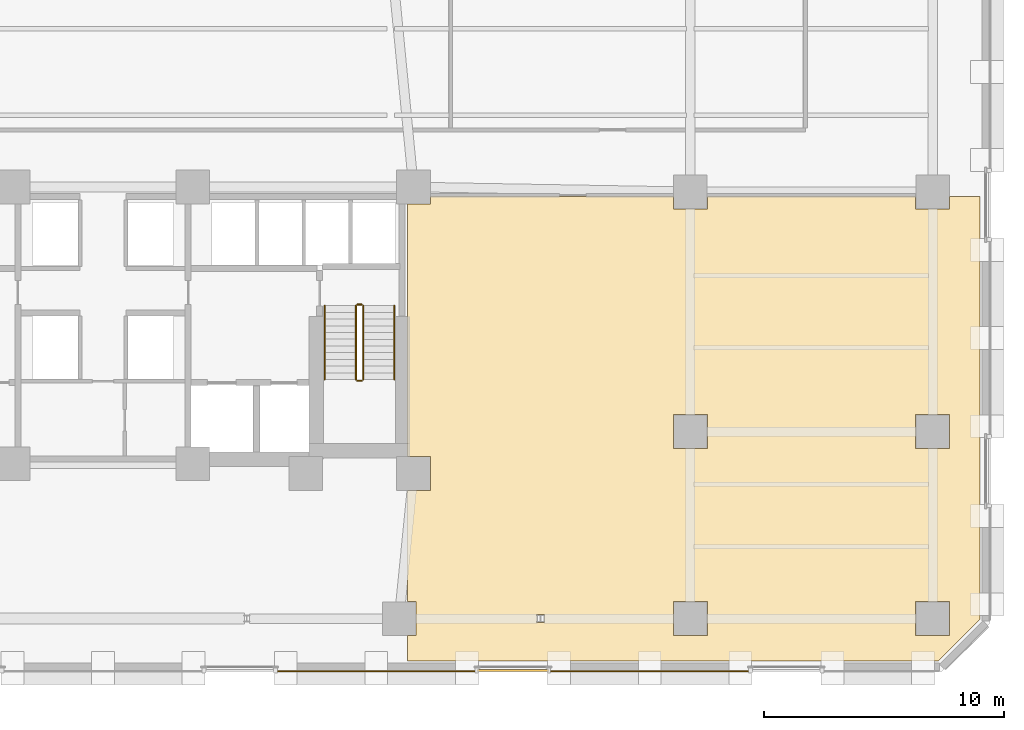
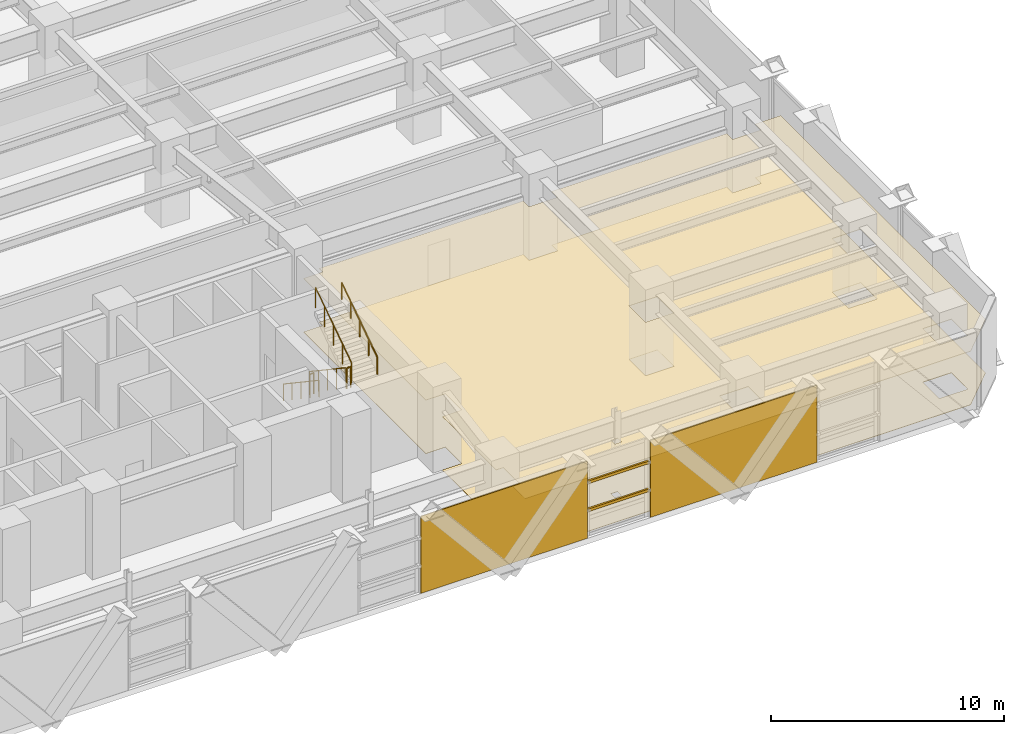
# One storey, part 22 of 26: 6 railings, 4 coverings, 2 shading devices.
"""IFC4 building model written with IfcOpenShell, lengths in metres."""

from ifc_helpers import new_model, si_unit, direction, frame, origin, origin_2d, place, context, subcontext, project, spatial, polyline, rectangle, circle, outline, extrude, material, layer, layer_set, material_profile, profile_set, type_object, element, save


model = new_model("IFC4")

# Units and contexts
model_context = context("Model", 3, precision=1e-05, world=origin(), true_north=direction((0.0, 1.0)))
body_context = subcontext(model_context, "Body", "Model", "MODEL_VIEW")
ifc_project = project(units=[si_unit("LENGTHUNIT", "METRE"), si_unit("AREAUNIT", "SQUARE_METRE"), si_unit("VOLUMEUNIT", "CUBIC_METRE"), si_unit("PLANEANGLEUNIT", "RADIAN"), si_unit("MASSUNIT", "GRAM", prefix="KILO")], contexts=[model_context])

# Site, building, storey
site_placement = place(None, origin())
site = spatial("IfcSite", under=ifc_project, at=site_placement, CompositionType="ELEMENT")
building_placement = place(site_placement, origin())
building = spatial("IfcBuilding", under=site, at=building_placement, Name="Quenlor Broadcast Tower", CompositionType="ELEMENT")
storey_placement = place(building_placement, frame((0.0, 0.0, 18.5)))
storey = spatial("IfcBuildingStorey", under=building, at=storey_placement, Name="L04", CompositionType="ELEMENT", Elevation=18.5)

# Covering
ifc_material_1 = material(Name="Acoustic Mineral Fibre Board", Category="other")
ifc_layer_1 = layer(ifc_material_1, 0.02490234375)
ifc_layer_set_1 = layer_set([ifc_layer_1], Name="Acoustic Perforated Mineral Tile Ceiling 25")
covering_type_1 = type_object("IfcCoveringType", Name="Acoustic Perforated Mineral Tile Ceiling 25", PredefinedType="CEILING", material=ifc_layer_set_1)
covering_1_placement = place(storey_placement, frame((0.0, 0.0, 2.804931640625)))
element("IfcCovering", 1, at=covering_1_placement, inside=storey, type_object=covering_type_1, Name="L04 Acoustic Ceiling L04-33", PredefinedType="CEILING", context=body_context, shape_type="SweptSolid", body=[
    extrude(outline(polyline([(12.699951171875, -24.580078125), (12.699951171875, -23.508056640625), (13.05810546875, -23.508056640625), (13.05810546875, -22.092041015625), (12.699951171875, -22.092041015625), (12.699951171875, -17.4580078125), (13.657958984375, -17.4580078125), (13.657958984375, -16.0419921875), (12.699951171875, -16.0419921875), (12.699951171875, -5.508056640625), (13.657958984375, -5.508056640625), (13.657958984375, -5.199951171875), (23.7919921875, -5.199951171875), (23.7919921875, -5.7080078125), (25.2080078125, -5.7080078125), (25.2080078125, -5.199951171875), (33.89208984375, -5.199951171875), (33.89208984375, -5.7080078125), (35.30810546875, -5.7080078125), (35.30810546875, -5.199951171875), (36.580078125, -5.199951171875), (36.580078125, -22.825927734375), (34.825927734375, -24.580078125), (12.699951171875, -24.580078125)]), holes=[polyline([(35.30810546875, -23.508056640625), (35.30810546875, -22.092041015625), (33.89208984375, -22.092041015625), (33.89208984375, -23.508056640625), (35.30810546875, -23.508056640625)]), polyline([(18.41259765625, -22.96826171875), (18.41259765625, -22.631591796875), (18.08740234375, -22.631591796875), (18.08740234375, -22.96826171875), (18.41259765625, -22.96826171875)]), polyline([(25.2080078125, -23.508056640625), (25.2080078125, -22.092041015625), (23.7919921875, -22.092041015625), (23.7919921875, -23.508056640625), (25.2080078125, -23.508056640625)]), polyline([(35.30810546875, -15.7080078125), (35.30810546875, -14.2919921875), (33.89208984375, -14.2919921875), (33.89208984375, -15.7080078125), (35.30810546875, -15.7080078125)]), polyline([(25.2080078125, -15.7080078125), (25.2080078125, -14.2919921875), (23.7919921875, -14.2919921875), (23.7919921875, -15.7080078125), (25.2080078125, -15.7080078125)])]), origin(), (0.0, 0.0, 1.0), 0.025146484375),
])

# Shading devices
ifc_material_2 = material(Name="Architectural Terracotta Ceramic", Category="masonry")
ifc_material_profile = material_profile(ifc_material_2, rectangle(XDim=0.090087890625, YDim=0.139892578125, at=origin_2d()))
ifc_profile_set = profile_set([ifc_material_profile], Name="Architectural Terracotta Ceramic BAG90x140")
shading_device_type = type_object("IfcShadingDeviceType", Name="Copper Terracotta Baguette Solar Screen 140", PredefinedType="USERDEFINED", material=ifc_profile_set)
for number, where, z_axis, x_axis, name in (
    (2, (18.593994140625, -24.972900390625, 1.46875), (-1.0, 0.0, 0.0), (0.0, -1.0, 0.0), "L04 Terracotta Baguette Screen 1"),
    (3, (18.593994140625, -24.972900390625, 2.9375), (-1.0, 0.0, 0.0), (0.0, -1.0, 0.0), "L04 Terracotta Baguette Screen 2"),
):
    element("IfcShadingDevice", number, at=place(storey_placement, frame(where, z_axis=z_axis, x_axis=x_axis)), inside=storey, type_object=shading_device_type, Name=name, ObjectType="BAGUETTE", PredefinedType="USERDEFINED", context=body_context, shape_type="SweptSolid", body=[
        extrude(rectangle(XDim=0.090087890625, YDim=0.139892578125, at=origin_2d()), origin(), (0.0, 0.0, 1.0), 2.98779296875),
    ])

# Coverings
ifc_material_3 = material(Name="Architectural Terracotta Ceramic", Category="masonry")
ifc_layer_2 = layer(ifc_material_3, 0.044921875)
ifc_layer_set_2 = layer_set([ifc_layer_2], Name="Fluted Terracotta Rainscreen Cladding Panel")
covering_type_2 = type_object("IfcCoveringType", Name="Fluted Terracotta Rainscreen Cladding Panel", PredefinedType="CLADDING", material=ifc_layer_set_2)
covering_2_placement = place(storey_placement, frame((0.0, 0.0, 0.02001953125)))
element("IfcCovering", 4, at=covering_2_placement, inside=storey, type_object=covering_type_2, Name="L04 Terracotta Rainscreen Cladding L04-S-FULL-SP2", PredefinedType="CLADDING", context=body_context, shape_type="SweptSolid", body=[
    extrude(outline(polyline([(26.93505859375, -24.971923828125), (18.664794921875, -24.971923828125), (18.664794921875, -25.01708984375), (26.93505859375, -25.01708984375), (26.93505859375, -24.971923828125)])), origin(), (0.0, 0.0, 1.0), 4.0400390625),
])
covering_3_placement = place(storey_placement, frame((0.0, 0.0, 0.02001953125)))
element("IfcCovering", 5, at=covering_3_placement, inside=storey, type_object=covering_type_2, Name="L04 Terracotta Rainscreen Cladding L04-S-FULL-SP3", PredefinedType="CLADDING", context=body_context, shape_type="SweptSolid", body=[
    extrude(outline(polyline([(15.53515625, -24.971923828125), (7.264892578125, -24.971923828125), (7.264892578125, -25.01708984375), (15.53515625, -25.01708984375), (15.53515625, -24.971923828125)])), origin(), (0.0, 0.0, 1.0), 4.0400390625),
])
ifc_material_4 = material(Name="Terrazzo Stone Finish", Category="masonry")
ifc_layer_3 = layer(ifc_material_4, 0.02001953125)
ifc_layer_set_3 = layer_set([ifc_layer_3], Name="Polished Sandstone Terrazzo Flooring 20")
covering_type_3 = type_object("IfcCoveringType", Name="Polished Sandstone Terrazzo Flooring 20", PredefinedType="FLOORING", material=ifc_layer_set_3)
covering_4_placement = place(storey_placement, origin())
element("IfcCovering", 6, at=covering_4_placement, inside=storey, type_object=covering_type_3, Name="L04 Terrazzo Flooring L04-33", PredefinedType="FLOORING", context=body_context, shape_type="SweptSolid", body=[
    extrude(outline(polyline([(12.699951171875, -24.580078125), (12.699951171875, -23.508056640625), (13.05810546875, -23.508056640625), (13.05810546875, -22.092041015625), (12.699951171875, -22.092041015625), (12.699951171875, -17.4580078125), (13.657958984375, -17.4580078125), (13.657958984375, -16.0419921875), (12.699951171875, -16.0419921875), (12.699951171875, -5.508056640625), (13.657958984375, -5.508056640625), (13.657958984375, -5.199951171875), (23.7919921875, -5.199951171875), (23.7919921875, -5.7080078125), (25.2080078125, -5.7080078125), (25.2080078125, -5.199951171875), (33.89208984375, -5.199951171875), (33.89208984375, -5.7080078125), (35.30810546875, -5.7080078125), (35.30810546875, -5.199951171875), (36.580078125, -5.199951171875), (36.580078125, -22.825927734375), (34.825927734375, -24.580078125), (12.699951171875, -24.580078125)]), holes=[polyline([(35.30810546875, -23.508056640625), (35.30810546875, -22.092041015625), (33.89208984375, -22.092041015625), (33.89208984375, -23.508056640625), (35.30810546875, -23.508056640625)]), polyline([(18.41259765625, -22.96826171875), (18.41259765625, -22.631591796875), (18.08740234375, -22.631591796875), (18.08740234375, -22.96826171875), (18.41259765625, -22.96826171875)]), polyline([(25.2080078125, -23.508056640625), (25.2080078125, -22.092041015625), (23.7919921875, -22.092041015625), (23.7919921875, -23.508056640625), (25.2080078125, -23.508056640625)]), polyline([(35.30810546875, -15.7080078125), (35.30810546875, -14.2919921875), (33.89208984375, -14.2919921875), (33.89208984375, -15.7080078125), (35.30810546875, -15.7080078125)]), polyline([(25.2080078125, -15.7080078125), (25.2080078125, -14.2919921875), (23.7919921875, -14.2919921875), (23.7919921875, -15.7080078125), (25.2080078125, -15.7080078125)])]), origin(), (0.0, 0.0, 1.0), 0.02001953125),
])

# Railings
ifc_material_5 = material(Name="Anodised Aluminium", Category="aluminium")
railing_type_1 = type_object("IfcRailingType", Name="Stainless Aluminium Wall Handrail 900", PredefinedType="HANDRAIL", material=ifc_material_5)
railing_1_placement = place(storey_placement, frame((9.25, -9.75, 0.1875)))
element("IfcRailing", 7, at=railing_1_placement, inside=storey, type_object=railing_type_1, Name="L04 ST-2 stair handrail 1", PredefinedType="HANDRAIL", context=body_context, shape_type="SweptSolid", body=[
    extrude(circle(Radius=0.02392578125, at=origin_2d()), frame((0.0, 0.0, 0.8759765625), z_axis=(0.0, -0.830913701846, 0.55640131208), x_axis=(1.0, 0.0, 0.0)), (0.0, 0.0, 1.0), 3.706787109375),
    extrude(circle(Radius=0.02099609375, at=origin_2d()), origin(), (0.0, 0.0, 1.0), 0.851806640625),
    extrude(circle(Radius=0.02099609375, at=origin_2d()), frame((0.0, -0.77001953125, 0.515625)), (0.0, 0.0, 1.0), 0.851806640625),
    extrude(circle(Radius=0.02099609375, at=origin_2d()), frame((0.0, -1.5400390625, 1.03125)), (0.0, 0.0, 1.0), 0.851806640625),
    extrude(circle(Radius=0.02099609375, at=origin_2d()), frame((0.0, -2.31005859375, 1.546875)), (0.0, 0.0, 1.0), 0.851806640625),
    extrude(circle(Radius=0.02099609375, at=origin_2d()), frame((0.0, -3.080078125, 2.0625)), (0.0, 0.0, 1.0), 0.851806640625),
])
railing_2_placement = place(storey_placement, frame((12.14990234375, -12.830078125, 2.4375)))
element("IfcRailing", 8, at=railing_2_placement, inside=storey, type_object=railing_type_1, Name="L04 ST-2 stair handrail 2", PredefinedType="HANDRAIL", context=body_context, shape_type="SweptSolid", body=[
    extrude(circle(Radius=0.02392578125, at=origin_2d()), frame((0.0, 0.0, 0.8759765625), z_axis=(0.0, 0.830913701846, 0.55640131208), x_axis=(-1.0, 0.0, 0.0)), (0.0, 0.0, 1.0), 3.706787109375),
    extrude(circle(Radius=0.02099609375, at=origin_2d()), origin(), (0.0, 0.0, 1.0), 0.851806640625),
    extrude(circle(Radius=0.02099609375, at=origin_2d()), frame((0.0, 0.77001953125, 0.515625)), (0.0, 0.0, 1.0), 0.851806640625),
    extrude(circle(Radius=0.02099609375, at=origin_2d()), frame((0.0, 1.5400390625, 1.03125)), (0.0, 0.0, 1.0), 0.851806640625),
    extrude(circle(Radius=0.02099609375, at=origin_2d()), frame((0.0, 2.31005859375, 1.546875)), (0.0, 0.0, 1.0), 0.851806640625),
    extrude(circle(Radius=0.02099609375, at=origin_2d()), frame((0.0, 3.080078125, 2.0625)), (0.0, 0.0, 1.0), 0.851806640625),
])
ifc_material_6 = material(Name="Steel S355", Category="steel")
railing_type_2 = type_object("IfcRailingType", Name="Tubular Steel S355 Stair Guardrail 1100", PredefinedType="BALUSTRADE", material=ifc_material_6)
railing_3_placement = place(storey_placement, frame((10.550048828125, -9.75, 0.1875)))
element("IfcRailing", 9, at=railing_3_placement, inside=storey, type_object=railing_type_2, Name="L04 ST-2 stair guard 1", PredefinedType="BALUSTRADE", context=body_context, shape_type="SweptSolid", body=[
    extrude(circle(Radius=0.02392578125, at=origin_2d()), frame((0.0, 0.0, 1.076171875), z_axis=(0.0, -0.830913701846, 0.55640131208), x_axis=(1.0, 0.0, 0.0)), (0.0, 0.0, 1.0), 3.706787109375),
    extrude(circle(Radius=0.02099609375, at=origin_2d()), origin(), (0.0, 0.0, 1.0), 1.052001953125),
    extrude(circle(Radius=0.02099609375, at=origin_2d()), frame((0.0, -0.77001953125, 0.515625)), (0.0, 0.0, 1.0), 1.052001953125),
    extrude(circle(Radius=0.02099609375, at=origin_2d()), frame((0.0, -1.5400390625, 1.03125)), (0.0, 0.0, 1.0), 1.052001953125),
    extrude(circle(Radius=0.02099609375, at=origin_2d()), frame((0.0, -2.31005859375, 1.546875)), (0.0, 0.0, 1.0), 1.052001953125),
    extrude(circle(Radius=0.02099609375, at=origin_2d()), frame((0.0, -3.080078125, 2.0625)), (0.0, 0.0, 1.0), 1.052001953125),
])
railing_4_placement = place(storey_placement, frame((10.60009765625, -12.8798828125, 2.25)))
element("IfcRailing", 10, at=railing_4_placement, inside=storey, type_object=railing_type_2, Name="L04 ST-2 stair guard 2", PredefinedType="BALUSTRADE", context=body_context, shape_type="SweptSolid", body=[
    extrude(circle(Radius=0.02392578125, at=origin_2d()), frame((0.0, 0.0, 1.076171875), z_axis=(1.0, 0.0, 0.0), x_axis=(0.0, 1.0, 0.0)), (0.0, 0.0, 1.0), 0.199951171875),
    extrude(circle(Radius=0.02099609375, at=origin_2d()), origin(), (0.0, 0.0, 1.0), 1.052001953125),
    extrude(circle(Radius=0.02099609375, at=origin_2d()), frame((0.199951171875, 0.0, 0.0)), (0.0, 0.0, 1.0), 1.052001953125),
])
railing_5_placement = place(storey_placement, frame((10.85009765625, -12.830078125, 2.4375)))
element("IfcRailing", 11, at=railing_5_placement, inside=storey, type_object=railing_type_2, Name="L04 ST-2 stair guard 3", PredefinedType="BALUSTRADE", context=body_context, shape_type="SweptSolid", body=[
    extrude(circle(Radius=0.02392578125, at=origin_2d()), frame((0.0, 0.0, 1.076171875), z_axis=(0.0, 0.830913701846, 0.55640131208), x_axis=(-1.0, 0.0, 0.0)), (0.0, 0.0, 1.0), 3.706787109375),
    extrude(circle(Radius=0.02099609375, at=origin_2d()), origin(), (0.0, 0.0, 1.0), 1.052001953125),
    extrude(circle(Radius=0.02099609375, at=origin_2d()), frame((0.0, 0.77001953125, 0.515625)), (0.0, 0.0, 1.0), 1.052001953125),
    extrude(circle(Radius=0.02099609375, at=origin_2d()), frame((0.0, 1.5400390625, 1.03125)), (0.0, 0.0, 1.0), 1.052001953125),
    extrude(circle(Radius=0.02099609375, at=origin_2d()), frame((0.0, 2.31005859375, 1.546875)), (0.0, 0.0, 1.0), 1.052001953125),
    extrude(circle(Radius=0.02099609375, at=origin_2d()), frame((0.0, 3.080078125, 2.0625)), (0.0, 0.0, 1.0), 1.052001953125),
])
railing_6_placement = place(storey_placement, frame((10.60009765625, -9.699951171875, 0.0)))
element("IfcRailing", 12, at=railing_6_placement, inside=storey, type_object=railing_type_2, Name="L04 ST-2 stair guard 4", PredefinedType="BALUSTRADE", context=body_context, shape_type="SweptSolid", body=[
    extrude(circle(Radius=0.02392578125, at=origin_2d()), frame((0.0, 0.0, 1.076171875), z_axis=(1.0, 0.0, 0.0), x_axis=(0.0, 1.0, 0.0)), (0.0, 0.0, 1.0), 0.199951171875),
    extrude(circle(Radius=0.02099609375, at=origin_2d()), origin(), (0.0, 0.0, 1.0), 1.052001953125),
    extrude(circle(Radius=0.02099609375, at=origin_2d()), frame((0.199951171875, 0.0, 0.0)), (0.0, 0.0, 1.0), 1.052001953125),
])

save(model, "model.ifc")
